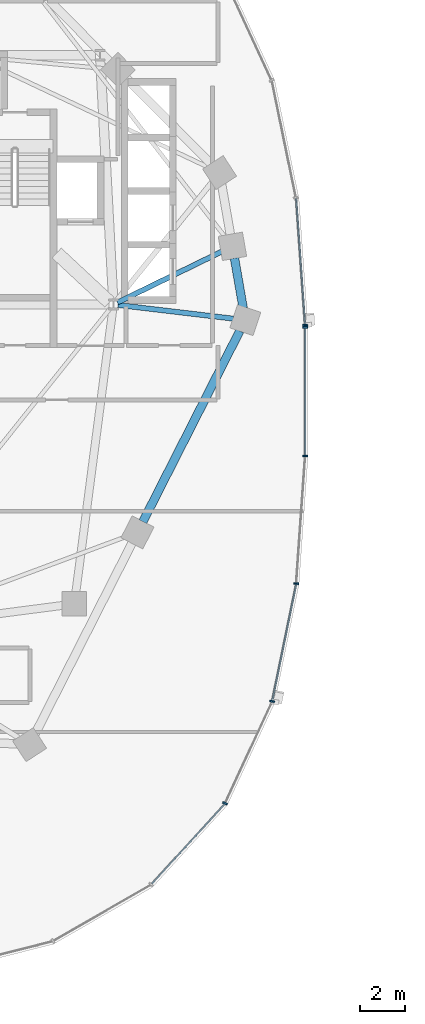
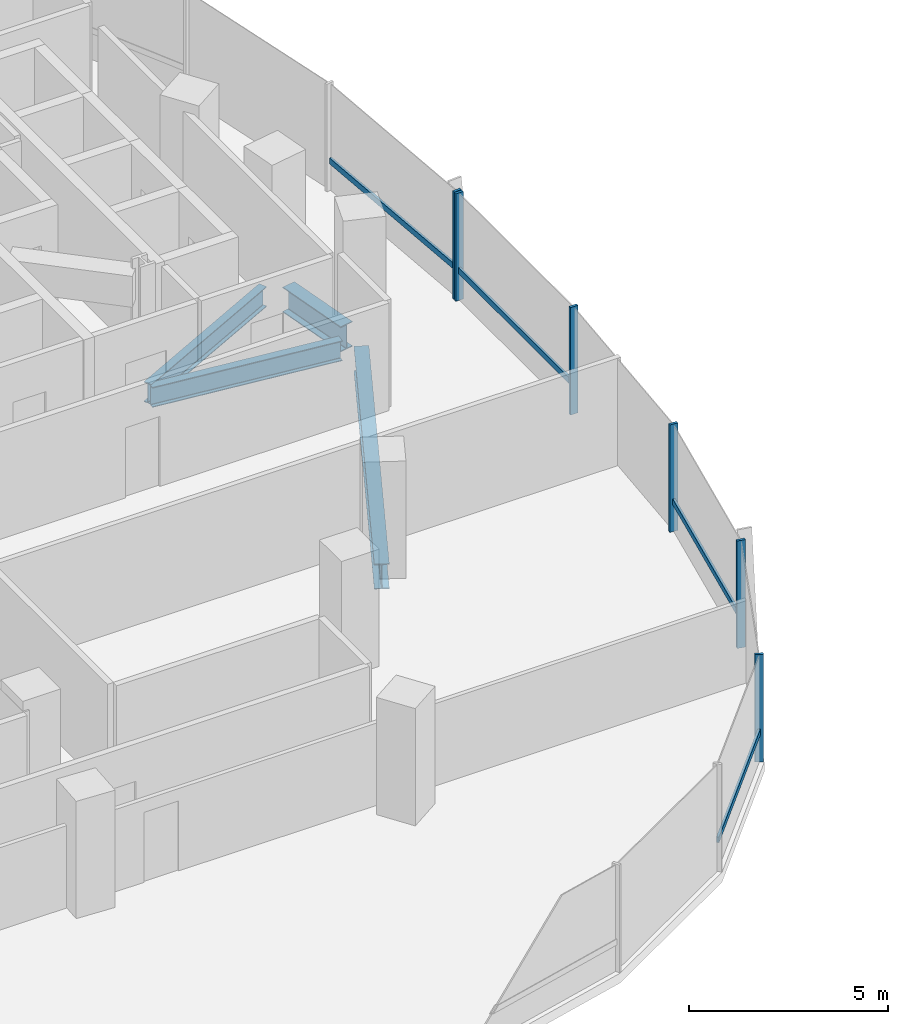
# One storey, part 3 of 21: 10 members, 4 beams, 2 elements without a shape of their own.
"""IFC4 building model written with IfcOpenShell, lengths in metres."""

from ifc_helpers import new_model, si_unit, direction, frame, origin, origin_2d, place, context, subcontext, project, spatial, rectangle, i_section, extrude, material, material_profile, profile_set, type_object, element, aggregate, save


model = new_model("IFC4")

# Units and contexts
model_context = context("Model", 3, precision=1e-05, world=origin(), true_north=direction((0.0, 1.0)))
body_context = subcontext(model_context, "Body", "Model", "MODEL_VIEW")
ifc_project = project(units=[si_unit("LENGTHUNIT", "METRE"), si_unit("AREAUNIT", "SQUARE_METRE"), si_unit("VOLUMEUNIT", "CUBIC_METRE"), si_unit("PLANEANGLEUNIT", "RADIAN"), si_unit("MASSUNIT", "GRAM", prefix="KILO"), si_unit("THERMODYNAMICTEMPERATUREUNIT", "KELVIN"), si_unit("POWERUNIT", "WATT")], contexts=[model_context])

# Site, building, storey
site_placement = place(None, origin())
site = spatial("IfcSite", under=ifc_project, at=site_placement, CompositionType="ELEMENT")
building_placement = place(site_placement, origin())
building = spatial("IfcBuilding", under=site, at=building_placement, Name="Cundina Bronze Exchange", CompositionType="ELEMENT")
storey_placement = place(building_placement, frame((0.0, 0.0, 117.800048828125)))
storey = spatial("IfcBuildingStorey", under=building, at=storey_placement, Name="L30", CompositionType="ELEMENT", Elevation=117.800048828125)

# Beams
ifc_material_1 = material(Name="Steel ASTM A992 Grade 50", Category="steel")
ifc_material_profile_1 = material_profile(ifc_material_1, i_section(OverallWidth=0.22998046875, OverallDepth=0.616943359375, WebThickness=0.01318359375, FlangeThickness=0.022216796875, FilletRadius=0.013916015625, at=origin_2d()), Name="W24X94", Category="steel")
ifc_profile_set_1 = profile_set([ifc_material_profile_1], Name="Steel ASTM A992 Grade 50")
beam_type_1 = type_object("IfcBeamType", Name="BM-FLR-W24B", PredefinedType="BEAM", material=ifc_profile_set_1)
beam_1_placement = place(storey_placement, frame((-21.247314453125, 3.8759765625, -0.608642578125), z_axis=(0.993035701683, -0.117813815752, 0.0), x_axis=(0.117813815752, 0.993035701683, 0.0)))
element("IfcBeam", 1, at=beam_1_placement, inside=storey, type_object=beam_type_1, Name="L30 Leg W Radial Floor Beam 00", PredefinedType="BEAM", context=body_context, shape_type="SweptSolid", body=[
    extrude(i_section(OverallWidth=0.22998046875, OverallDepth=0.616943359375, WebThickness=0.01318359375, FlangeThickness=0.022216796875, FilletRadius=0.013916015625, at=origin_2d()), origin(), (0.0, 0.0, 1.0), 5.19921875),
])
beam_2_placement = place(storey_placement, frame((-21.2666015625, 3.989501953125, -0.608642578125), z_axis=(0.898607246385, 0.438753936443, 0.0), x_axis=(-0.438753936443, 0.898607246385, 0.0)))
element("IfcBeam", 2, at=beam_2_placement, inside=storey, type_object=beam_type_1, Name="L30 Leg W Radial Floor Beam 01", PredefinedType="BEAM", context=body_context, shape_type="SweptSolid", body=[
    extrude(i_section(OverallWidth=0.22998046875, OverallDepth=0.616943359375, WebThickness=0.01318359375, FlangeThickness=0.022216796875, FilletRadius=0.013916015625, at=origin_2d()), origin(), (0.0, 0.0, 1.0), 5.183837890625),
])
ifc_material_profile_2 = material_profile(ifc_material_1, i_section(OverallWidth=0.381103515625, OverallDepth=0.77294921875, WebThickness=0.0166015625, FlangeThickness=0.027099609375, FilletRadius=0.01904296875, at=origin_2d()), Name="W30X173", Category="steel")
ifc_profile_set_2 = profile_set([ifc_material_profile_2], Name="Steel ASTM A992 Grade 50")
beam_type_2 = type_object("IfcBeamType", Name="BM-RING-W30", PredefinedType="USERDEFINED", material=ifc_profile_set_2)
beam_3_placement = place(storey_placement, frame((-15.642333984375, 3.72998046875, -0.6865234375), z_axis=(-0.171690078326, 0.985151012284, 0.0), x_axis=(-0.985151012284, -0.171690078326, 0.0)))
element("IfcBeam", 3, at=beam_3_placement, inside=storey, type_object=beam_type_2, Name="L30 W Perimeter Ring Girder 00", ObjectType="GIRDER", PredefinedType="USERDEFINED", context=body_context, shape_type="SweptSolid", body=[
    extrude(i_section(OverallWidth=0.381103515625, OverallDepth=0.77294921875, WebThickness=0.0166015625, FlangeThickness=0.027099609375, FilletRadius=0.01904296875, at=origin_2d()), origin(), (0.0, 0.0, 1.0), 2.273681640625),
])
beam_4_placement = place(storey_placement, frame((-20.13134765625, -5.8203125, -0.6865234375), z_axis=(0.452832332744, 0.891595692241, 0.0), x_axis=(-0.891595692241, 0.452832332744, 0.0)))
element("IfcBeam", 4, at=beam_4_placement, inside=storey, type_object=beam_type_2, Name="L30 W Perimeter Ring Girder 13", ObjectType="GIRDER", PredefinedType="USERDEFINED", context=body_context, shape_type="SweptSolid", body=[
    extrude(i_section(OverallWidth=0.381103515625, OverallDepth=0.77294921875, WebThickness=0.0166015625, FlangeThickness=0.027099609375, FilletRadius=0.01904296875, at=origin_2d()), origin(), (0.0, 0.0, 1.0), 9.578857421875),
])

# Curtain wall, member
ifc_material_2 = material(Name="Anodised Bronze Aluminium 6063-T6", Category="aluminium")
curtain_wall_type = type_object("IfcCurtainWallType", Name="CWS-TRD-MID", PredefinedType="NOTDEFINED", material=ifc_material_2)
curtain_wall_1_placement = place(storey_placement, origin())
curtain_wall_1 = element("IfcCurtainWall", 5, at=curtain_wall_1_placement, inside=storey, type_object=curtain_wall_type, Name="L30 CW-03 Curtain Wall Run CWR-L30-W1", PredefinedType="NOTDEFINED")
ifc_material_profile_3 = material_profile(ifc_material_2, rectangle(XDim=0.074951171875, YDim=0.219970703125, at=origin_2d()), Name="AL75X220", Category="aluminium")
ifc_profile_set_3 = profile_set([ifc_material_profile_3], Name="Anodised Bronze Aluminium 6063-T6")
member_type_1 = type_object("IfcMemberType", Name="CWM-MUL-220", PredefinedType="MULLION", material=ifc_profile_set_3)
member_1_placement = place(storey_placement, frame((-12.87548828125, 2.976318359375, 0.0), z_axis=(0.0, 0.0, 1.0), x_axis=(-0.070278787473, 0.997527389113, 0.0)))
member_1 = element("IfcMember", 6, at=member_1_placement, type_object=member_type_1, Name="CW-03 Mullion 1", PredefinedType="MULLION", context=body_context, shape_type="SweptSolid", body=[
    extrude(rectangle(XDim=0.074951171875, YDim=0.219970703125, at=origin_2d()), origin(), (0.0, 0.0, 1.0), 3.300048828125),
])

# Curtain wall, members
curtain_wall_2_placement = place(storey_placement, origin())
curtain_wall_2 = element("IfcCurtainWall", 7, at=curtain_wall_2_placement, inside=storey, type_object=curtain_wall_type, Name="L30 CW-03 Curtain Wall Run CWR-L30-W4", PredefinedType="NOTDEFINED")
member_2_placement = place(storey_placement, frame((-16.455810546875, -18.423583984375, 0.0), z_axis=(0.0, 0.0, 1.0), x_axis=(0.42087749791, 0.907117485088, 0.0)))
member_2 = element("IfcMember", 8, at=member_2_placement, type_object=member_type_1, Name="CW-03 Mullion 4", PredefinedType="MULLION", context=body_context, shape_type="SweptSolid", body=[
    extrude(rectangle(XDim=0.074951171875, YDim=0.219970703125, at=origin_2d()), origin(), (0.0, 0.0, 1.0), 3.300048828125),
])
member_3_placement = place(storey_placement, frame((-14.348876953125, -13.861328125, 0.0), z_axis=(0.0, 0.0, 1.0), x_axis=(0.201419845156, 0.979505000486, 0.0)))
member_3 = element("IfcMember", 9, at=member_3_placement, type_object=member_type_1, Name="CW-03 Mullion 5", PredefinedType="MULLION", context=body_context, shape_type="SweptSolid", body=[
    extrude(rectangle(XDim=0.074951171875, YDim=0.219970703125, at=origin_2d()), origin(), (0.0, 0.0, 1.0), 3.300048828125),
])
member_4_placement = place(storey_placement, frame((-13.27099609375, -8.591552734375, 0.0), z_axis=(0.0, 0.0, 1.0), x_axis=(0.070278787473, 0.997527389113, 0.0)))
member_4 = element("IfcMember", 10, at=member_4_placement, type_object=member_type_1, Name="CW-03 Mullion 6", PredefinedType="MULLION", context=body_context, shape_type="SweptSolid", body=[
    extrude(rectangle(XDim=0.074951171875, YDim=0.219970703125, at=origin_2d()), origin(), (0.0, 0.0, 1.0), 3.300048828125),
])
member_5_placement = place(storey_placement, frame((-12.8720703125, -2.880615234375, 0.0), z_axis=(0.0, 0.0, 1.0), x_axis=(0.0, 1.0, 0.0)))
member_5 = element("IfcMember", 11, at=member_5_placement, type_object=member_type_1, Name="CW-03 Mullion 7", PredefinedType="MULLION", context=body_context, shape_type="SweptSolid", body=[
    extrude(rectangle(XDim=0.074951171875, YDim=0.219970703125, at=origin_2d()), origin(), (0.0, 0.0, 1.0), 3.300048828125),
])
member_6_placement = place(storey_placement, frame((-12.8720703125, 2.880615234375, 0.0), z_axis=(0.0, 0.0, 1.0), x_axis=(0.0, 1.0, 0.0)))
member_6 = element("IfcMember", 12, at=member_6_placement, type_object=member_type_1, Name="CW-03 End Mullion", PredefinedType="MULLION", context=body_context, shape_type="SweptSolid", body=[
    extrude(rectangle(XDim=0.074951171875, YDim=0.219970703125, at=origin_2d()), origin(), (0.0, 0.0, 1.0), 3.300048828125),
])

# Member
ifc_material_profile_4 = material_profile(ifc_material_2, rectangle(XDim=0.070068359375, YDim=0.179931640625, at=origin_2d()), Name="AL70X180", Category="aluminium")
ifc_profile_set_4 = profile_set([ifc_material_profile_4], Name="Anodised Bronze Aluminium 6063-T6")
member_type_2 = type_object("IfcMemberType", Name="CWM-TRN-180", PredefinedType="USERDEFINED", material=ifc_profile_set_4)
member_7_placement = place(storey_placement, frame((-12.87841796875, 3.017333984375, 0.919921875), z_axis=(-0.070260714471, 0.997528662246, 0.0), x_axis=(-0.997528662246, -0.070260714471, 0.0)))
member_7 = element("IfcMember", 13, at=member_7_placement, type_object=member_type_2, Name="CW-03 Spandrel Transom 1", ObjectType="TRANSOM", PredefinedType="USERDEFINED", context=body_context, shape_type="SweptSolid", body=[
    extrude(rectangle(XDim=0.070068359375, YDim=0.179931640625, at=origin_2d()), origin(), (0.0, 0.0, 1.0), 5.629150390625),
])

aggregate(curtain_wall_1, [member_1, member_7])

member_8_placement = place(storey_placement, frame((-19.73291015625, -22.027099609375, 0.919921875), z_axis=(0.674302794847, 0.738454968743, 0.0), x_axis=(-0.738454968743, 0.674302794847, 0.0)))
member_8 = element("IfcMember", 14, at=member_8_placement, type_object=member_type_2, Name="CW-03 Spandrel Transom 3", ObjectType="TRANSOM", PredefinedType="USERDEFINED", context=body_context, shape_type="SweptSolid", body=[
    extrude(rectangle(XDim=0.070068359375, YDim=0.179931640625, at=origin_2d()), origin(), (0.0, 0.0, 1.0), 4.848388671875),
])

member_9_placement = place(storey_placement, frame((-14.340576171875, -13.821044921875, 0.919921875), z_axis=(0.201427712708, 0.979503382615, 0.0), x_axis=(-0.979503382615, 0.201427712708, 0.0)))
member_9 = element("IfcMember", 15, at=member_9_placement, type_object=member_type_2, Name="CW-03 Spandrel Transom 5", ObjectType="TRANSOM", PredefinedType="USERDEFINED", context=body_context, shape_type="SweptSolid", body=[
    extrude(rectangle(XDim=0.070068359375, YDim=0.179931640625, at=origin_2d()), origin(), (0.0, 0.0, 1.0), 5.291748046875),
])

member_10_placement = place(storey_placement, frame((-12.8720703125, -2.839111328125, 0.919921875), z_axis=(0.0, 1.0, 0.0), x_axis=(-1.0, 0.0, 0.0)))
member_10 = element("IfcMember", 16, at=member_10_placement, type_object=member_type_2, Name="CW-03 Spandrel Transom 7", ObjectType="TRANSOM", PredefinedType="USERDEFINED", context=body_context, shape_type="SweptSolid", body=[
    extrude(rectangle(XDim=0.070068359375, YDim=0.179931640625, at=origin_2d()), origin(), (0.0, 0.0, 1.0), 5.67822265625),
])

aggregate(curtain_wall_2, [member_8, member_2, member_3, member_9, member_4, member_5, member_6, member_10])

save(model, "model.ifc")
